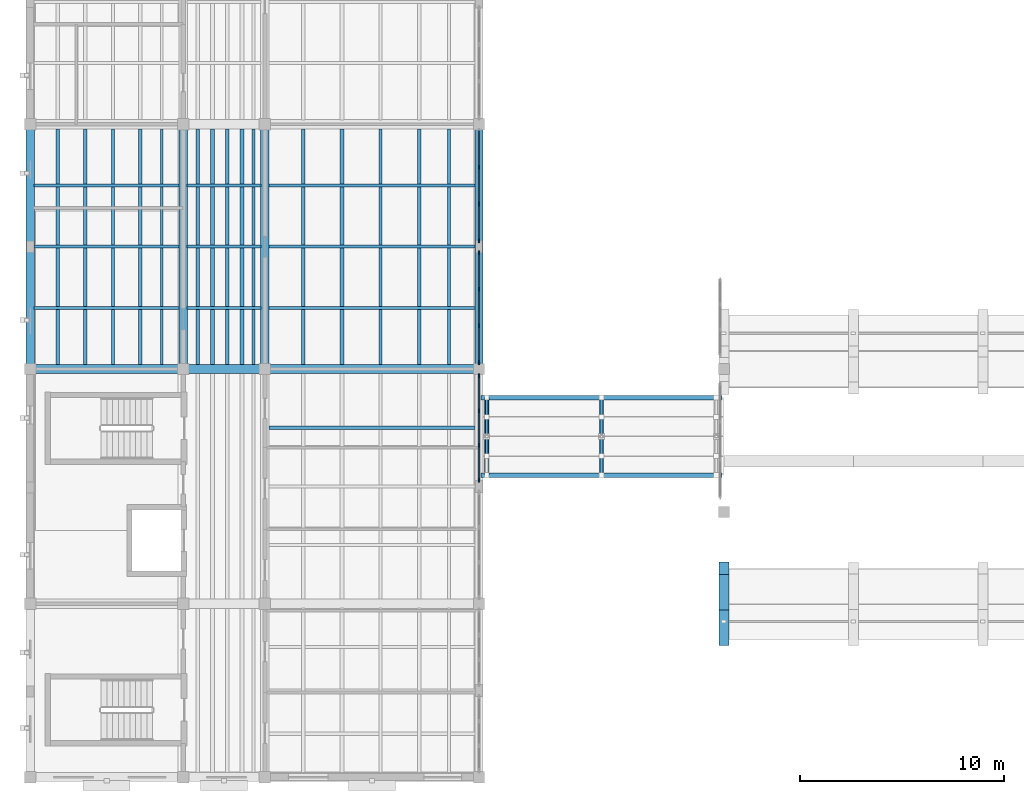
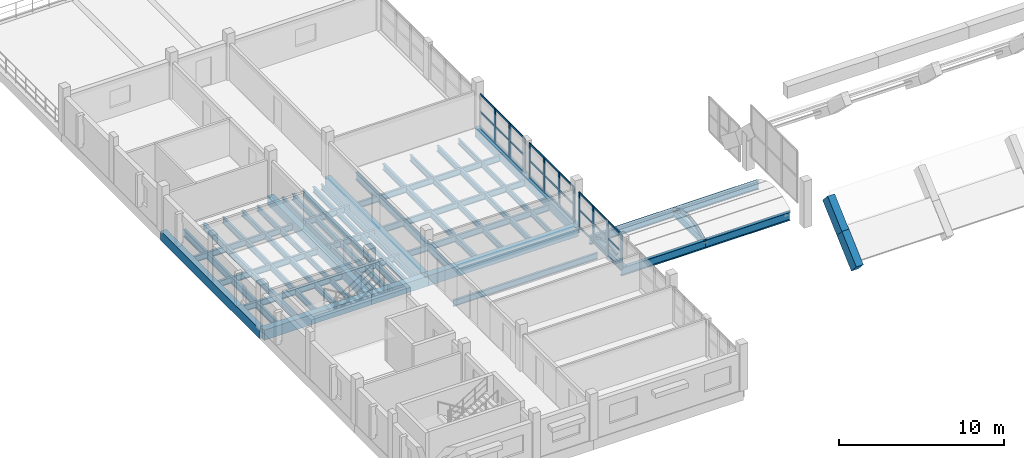
# One storey, part 4 of 48: 38 beams, 29 members, 3 elements without a shape of their own.
"""IFC4 building model written with IfcOpenShell, lengths in metres."""

from ifc_helpers import new_model, si_unit, direction, frame, origin, origin_2d, place, context, subcontext, project, spatial, rectangle, hollow_rectangle, i_section, extrude, material, layer, layer_set, material_profile, profile_set, type_object, element, aggregate, save


model = new_model("IFC4")

# Units and contexts
model_context = context("Model", 3, precision=1e-05, world=origin(), true_north=direction((0.0, 1.0)))
body_context = subcontext(model_context, "Body", "Model", "MODEL_VIEW")
ifc_project = project(units=[si_unit("LENGTHUNIT", "METRE"), si_unit("AREAUNIT", "SQUARE_METRE"), si_unit("VOLUMEUNIT", "CUBIC_METRE"), si_unit("PLANEANGLEUNIT", "RADIAN"), si_unit("MASSUNIT", "GRAM", prefix="KILO")], contexts=[model_context])

# Site, building, storey
site_placement = place(None, origin())
site = spatial("IfcSite", under=ifc_project, at=site_placement, CompositionType="ELEMENT")
building_placement = place(site_placement, origin())
building = spatial("IfcBuilding", under=site, at=building_placement, Name="Trellovar Central Fire Station", CompositionType="ELEMENT")
storey_placement = place(building_placement, frame((0.0, 0.0, 9.300048828125)))
storey = spatial("IfcBuildingStorey", under=building, at=storey_placement, Name="L03", CompositionType="ELEMENT", Elevation=9.300048828125)

# Beams
ifc_material_1 = material(Name="Concrete C40/50", Category="concrete")
ifc_material_profile_1 = material_profile(ifc_material_1, rectangle(XDim=0.449951171875, YDim=0.75, at=origin_2d()), Name="RC450X750")
ifc_profile_set_1 = profile_set([ifc_material_profile_1], Name="Concrete C40/50")
beam_type_1 = type_object("IfcBeamType", Name="BM-G2", PredefinedType="BEAM", material=ifc_profile_set_1)
beam_1_placement = place(storey_placement, frame((1.0, 29.0, -0.375), z_axis=(1.0, 0.0, 0.0), x_axis=(0.0, 1.0, 0.0)))
element("IfcBeam", 1, at=beam_1_placement, inside=storey, type_object=beam_type_1, Name="L03 beam G-2", PredefinedType="BEAM", context=body_context, shape_type="SweptSolid", body=[
    extrude(rectangle(XDim=0.449951171875, YDim=0.75, at=origin_2d()), origin(), (0.0, 0.0, 1.0), 7.5),
])
beam_2_placement = place(storey_placement, frame((8.5, 29.0, -0.375), z_axis=(1.0, 0.0, 0.0), x_axis=(0.0, 1.0, 0.0)))
element("IfcBeam", 2, at=beam_2_placement, inside=storey, type_object=beam_type_1, Name="L03 beam G-2", PredefinedType="BEAM", context=body_context, shape_type="SweptSolid", body=[
    extrude(rectangle(XDim=0.449951171875, YDim=0.75, at=origin_2d()), origin(), (0.0, 0.0, 1.0), 4.0),
])
beam_3_placement = place(storey_placement, frame((12.5, 29.0, -0.375), z_axis=(1.0, 0.0, 0.0), x_axis=(0.0, 1.0, 0.0)))
element("IfcBeam", 3, at=beam_3_placement, inside=storey, type_object=beam_type_1, Name="L03 beam G-2", PredefinedType="BEAM", context=body_context, shape_type="SweptSolid", body=[
    extrude(rectangle(XDim=0.449951171875, YDim=0.75, at=origin_2d()), origin(), (0.0, 0.0, 1.0), 10.5),
])
ifc_material_2 = material(Name="Concrete C40/50", Category="concrete")
ifc_material_profile_2 = material_profile(ifc_material_2, rectangle(XDim=0.39990234375, YDim=0.699951171875, at=origin_2d()), Name="RC400X700")
ifc_profile_set_2 = profile_set([ifc_material_profile_2], Name="Concrete C40/50")
beam_type_2 = type_object("IfcBeamType", Name="BM-G3", PredefinedType="BEAM", material=ifc_profile_set_2)
for number, where, z_axis, x_axis, name in (
    (4, (1.0, 29.0, -0.35009765625), (0.0, 1.0, 0.0), (-1.0, 0.0, 0.0), "L03 beam G-3"),
    (5, (8.5, 29.0, -0.35009765625), (0.0, 1.0, 0.0), (-1.0, 0.0, 0.0), "L03 beam G-3"),
    (6, (12.5, 29.0, -0.35009765625), (0.0, 1.0, 0.0), (-1.0, 0.0, 0.0), "L03 beam G-3"),
    (7, (23.0, 29.0, -0.35009765625), (0.0, 1.0, 0.0), (-1.0, 0.0, 0.0), "L03 beam G-3"),
):
    element("IfcBeam", number, at=place(storey_placement, frame(where, z_axis=z_axis, x_axis=x_axis)), inside=storey, type_object=beam_type_2, Name=name, PredefinedType="BEAM", context=body_context, shape_type="SweptSolid", body=[
        extrude(rectangle(XDim=0.39990234375, YDim=0.699951171875, at=origin_2d()), origin(), (0.0, 0.0, 1.0), 12.0),
    ])
ifc_material_3 = material(Name="Steel ASTM A992 Grade 50", Category="steel")
ifc_material_profile_3 = material_profile(ifc_material_3, i_section(OverallWidth=0.15283203125, OverallDepth=0.45458984375, WebThickness=0.008056640625, FlangeThickness=0.01318359375, FilletRadius=0.0126953125, at=origin_2d()), Name="W18X40")
ifc_profile_set_3 = profile_set([ifc_material_profile_3], Name="Steel ASTM A992 Grade 50")
beam_type_3 = type_object("IfcBeamType", Name="BM-SW10", PredefinedType="JOIST", material=ifc_profile_set_3)
for number, where, z_axis, x_axis, name in (
    (8, (1.195068359375, 32.0, -0.477294921875), (1.0, 0.0, 0.0), (0.0, 1.0, 0.0), "L03 beam SB-10"),
    (9, (1.195068359375, 35.0, -0.477294921875), (1.0, 0.0, 0.0), (0.0, 1.0, 0.0), "L03 beam SB-10"),
    (10, (1.195068359375, 38.0, -0.477294921875), (1.0, 0.0, 0.0), (0.0, 1.0, 0.0), "L03 beam SB-10"),
):
    element("IfcBeam", number, at=place(storey_placement, frame(where, z_axis=z_axis, x_axis=x_axis)), inside=storey, type_object=beam_type_3, Name=name, PredefinedType="JOIST", context=body_context, shape_type="SweptSolid", body=[
        extrude(i_section(OverallWidth=0.15283203125, OverallDepth=0.45458984375, WebThickness=0.008056640625, FlangeThickness=0.01318359375, FilletRadius=0.0126953125, at=origin_2d()), origin(), (0.0, 0.0, 1.0), 7.10986328125),
    ])
for number, where, z_axis, x_axis, name in (
    (11, (8.695068359375, 32.0, -0.477294921875), (1.0, 0.0, 0.0), (0.0, 1.0, 0.0), "L03 beam SB-10"),
    (12, (8.695068359375, 35.0, -0.477294921875), (1.0, 0.0, 0.0), (0.0, 1.0, 0.0), "L03 beam SB-10"),
    (13, (8.695068359375, 38.0, -0.477294921875), (1.0, 0.0, 0.0), (0.0, 1.0, 0.0), "L03 beam SB-10"),
):
    element("IfcBeam", number, at=place(storey_placement, frame(where, z_axis=z_axis, x_axis=x_axis)), inside=storey, type_object=beam_type_3, Name=name, PredefinedType="JOIST", context=body_context, shape_type="SweptSolid", body=[
        extrude(i_section(OverallWidth=0.15283203125, OverallDepth=0.45458984375, WebThickness=0.008056640625, FlangeThickness=0.01318359375, FilletRadius=0.0126953125, at=origin_2d()), origin(), (0.0, 0.0, 1.0), 3.60986328125),
    ])
for number, where, z_axis, x_axis, name in (
    (14, (12.695068359375, 26.125, -0.477294921875), (1.0, 0.0, 0.0), (0.0, 1.0, 0.0), "L03 beam SB-10"),
    (15, (12.695068359375, 32.0, -0.477294921875), (1.0, 0.0, 0.0), (0.0, 1.0, 0.0), "L03 beam SB-10"),
    (16, (12.695068359375, 35.0, -0.477294921875), (1.0, 0.0, 0.0), (0.0, 1.0, 0.0), "L03 beam SB-10"),
    (17, (12.695068359375, 38.0, -0.477294921875), (1.0, 0.0, 0.0), (0.0, 1.0, 0.0), "L03 beam SB-10"),
):
    element("IfcBeam", number, at=place(storey_placement, frame(where, z_axis=z_axis, x_axis=x_axis)), inside=storey, type_object=beam_type_3, Name=name, PredefinedType="JOIST", context=body_context, shape_type="SweptSolid", body=[
        extrude(i_section(OverallWidth=0.15283203125, OverallDepth=0.45458984375, WebThickness=0.008056640625, FlangeThickness=0.01318359375, FilletRadius=0.0126953125, at=origin_2d()), origin(), (0.0, 0.0, 1.0), 10.10986328125),
    ])
for number, where, z_axis, x_axis, name in (
    (18, (5.050048828125, 29.219970703125, -0.477294921875), (0.0, 1.0, 0.0), (-1.0, 0.0, 0.0), "L03 secondary steel deck joist"),
    (19, (10.659912109375, 29.219970703125, -0.477294921875), (0.0, 1.0, 0.0), (-1.0, 0.0, 0.0), "L03 secondary steel deck joist"),
    (20, (18.169921875, 29.219970703125, -0.477294921875), (0.0, 1.0, 0.0), (-1.0, 0.0, 0.0), "L03 secondary steel deck joist"),
):
    element("IfcBeam", number, at=place(storey_placement, frame(where, z_axis=z_axis, x_axis=x_axis)), inside=storey, type_object=beam_type_3, Name=name, PredefinedType="JOIST", context=body_context, shape_type="SweptSolid", body=[
        extrude(i_section(OverallWidth=0.15283203125, OverallDepth=0.45458984375, WebThickness=0.008056640625, FlangeThickness=0.01318359375, FilletRadius=0.0126953125, at=origin_2d()), origin(), (0.0, 0.0, 1.0), 11.56005859375),
    ])
ifc_material_4 = material(Name="Steel ASTM A992 Grade 50", Category="steel")
ifc_material_profile_4 = material_profile(ifc_material_4, i_section(OverallWidth=0.177490234375, OverallDepth=0.40380859375, WebThickness=0.007568359375, FlangeThickness=0.010986328125, FilletRadius=0.011474609375, at=origin_2d()), Name="W16X36")
ifc_profile_set_4 = profile_set([ifc_material_profile_4], Name="Steel ASTM A992 Grade 50")
beam_type_4 = type_object("IfcBeamType", Name="BM-SW11", PredefinedType="JOIST", material=ifc_profile_set_4)
for number, where, z_axis, x_axis, name in (
    (21, (6.39990234375, 29.219970703125, -0.451904296875), (0.0, 1.0, 0.0), (-1.0, 0.0, 0.0), "L03 secondary steel deck joist"),
    (22, (11.3798828125, 29.219970703125, -0.451904296875), (0.0, 1.0, 0.0), (-1.0, 0.0, 0.0), "L03 secondary steel deck joist"),
    (23, (20.06005859375, 29.219970703125, -0.451904296875), (0.0, 1.0, 0.0), (-1.0, 0.0, 0.0), "L03 secondary steel deck joist"),
):
    element("IfcBeam", number, at=place(storey_placement, frame(where, z_axis=z_axis, x_axis=x_axis)), inside=storey, type_object=beam_type_4, Name=name, PredefinedType="JOIST", context=body_context, shape_type="SweptSolid", body=[
        extrude(i_section(OverallWidth=0.177490234375, OverallDepth=0.40380859375, WebThickness=0.007568359375, FlangeThickness=0.010986328125, FilletRadius=0.011474609375, at=origin_2d()), origin(), (0.0, 0.0, 1.0), 11.56005859375),
    ])
ifc_material_5 = material(Name="Steel ASTM A992 Grade 50", Category="steel")
ifc_material_profile_5 = material_profile(ifc_material_5, i_section(OverallWidth=0.140380859375, OverallDepth=0.4033203125, WebThickness=0.007080078125, FlangeThickness=0.01123046875, FilletRadius=0.011474609375, at=origin_2d()), Name="W16X31")
ifc_profile_set_5 = profile_set([ifc_material_profile_5], Name="Steel ASTM A992 Grade 50")
beam_type_5 = type_object("IfcBeamType", Name="BM-SW12", PredefinedType="JOIST", material=ifc_profile_set_5)
for number, where, z_axis, x_axis, name in (
    (24, (7.449951171875, 29.219970703125, -0.45166015625), (0.0, 1.0, 0.0), (-1.0, 0.0, 0.0), "L03 secondary steel deck joist"),
    (25, (11.93994140625, 29.219970703125, -0.45166015625), (0.0, 1.0, 0.0), (-1.0, 0.0, 0.0), "L03 secondary steel deck joist"),
    (26, (21.530029296875, 29.219970703125, -0.45166015625), (0.0, 1.0, 0.0), (-1.0, 0.0, 0.0), "L03 secondary steel deck joist"),
):
    element("IfcBeam", number, at=place(storey_placement, frame(where, z_axis=z_axis, x_axis=x_axis)), inside=storey, type_object=beam_type_5, Name=name, PredefinedType="JOIST", context=body_context, shape_type="SweptSolid", body=[
        extrude(i_section(OverallWidth=0.140380859375, OverallDepth=0.4033203125, WebThickness=0.007080078125, FlangeThickness=0.01123046875, FilletRadius=0.011474609375, at=origin_2d()), origin(), (0.0, 0.0, 1.0), 11.56005859375),
    ])
ifc_material_6 = material(Name="Steel ASTM A992 Grade 50", Category="steel")
ifc_material_profile_6 = material_profile(ifc_material_6, i_section(OverallWidth=0.227783203125, OverallDepth=0.60205078125, WebThickness=0.010498046875, FlangeThickness=0.014892578125, FilletRadius=0.01513671875, at=origin_2d()), Name="W24X68")
ifc_profile_set_6 = profile_set([ifc_material_profile_6], Name="Steel ASTM A992 Grade 50")
beam_type_6 = type_object("IfcBeamType", Name="BM-SW6", PredefinedType="BEAM", material=ifc_profile_set_6)
for number, where, z_axis, x_axis, name in (
    (27, (23.090087890625, 23.800048828125, -0.35107421875), (1.0, 0.0, 0.0), (0.0, 1.0, 0.0), "Cloister bridge vault spring beam W"),
    (28, (29.0, 23.800048828125, -0.35107421875), (1.0, 0.0, 0.0), (0.0, 1.0, 0.0), "Cloister bridge vault spring beam E"),
    (29, (23.090087890625, 27.60009765625, -0.35107421875), (1.0, 0.0, 0.0), (0.0, 1.0, 0.0), "Cloister bridge vault spring beam W"),
    (30, (29.0, 27.60009765625, -0.35107421875), (1.0, 0.0, 0.0), (0.0, 1.0, 0.0), "Cloister bridge vault spring beam E"),
):
    element("IfcBeam", number, at=place(storey_placement, frame(where, z_axis=z_axis, x_axis=x_axis)), inside=storey, type_object=beam_type_6, Name=name, PredefinedType="BEAM", context=body_context, shape_type="SweptSolid", body=[
        extrude(i_section(OverallWidth=0.227783203125, OverallDepth=0.60205078125, WebThickness=0.010498046875, FlangeThickness=0.014892578125, FilletRadius=0.01513671875, at=origin_2d()), origin(), (0.0, 0.0, 1.0), 5.909912109375),
    ])
ifc_material_7 = material(Name="Steel ASTM A992 Grade 50", Category="steel")
ifc_material_profile_7 = material_profile(ifc_material_7, i_section(OverallWidth=0.209228515625, OverallDepth=0.533447265625, WebThickness=0.01025390625, FlangeThickness=0.015625, FilletRadius=0.013916015625, at=origin_2d()), Name="W21X62")
ifc_profile_set_7 = profile_set([ifc_material_profile_7], Name="Steel ASTM A992 Grade 50")
beam_type_7 = type_object("IfcBeamType", Name="BM-SW7", PredefinedType="BEAM", material=ifc_profile_set_7)
for number, where, z_axis, x_axis, name in (
    (31, (23.3798828125, 23.800048828125, -0.316650390625), (0.0, 1.0, 0.0), (-1.0, 0.0, 0.0), "Cloister bridge roof tie X=23.4"),
    (32, (29.0, 23.800048828125, -0.316650390625), (0.0, 1.0, 0.0), (-1.0, 0.0, 0.0), "Cloister bridge roof tie X=29.0"),
):
    element("IfcBeam", number, at=place(storey_placement, frame(where, z_axis=z_axis, x_axis=x_axis)), inside=storey, type_object=beam_type_7, Name=name, PredefinedType="BEAM", context=body_context, shape_type="SweptSolid", body=[
        extrude(i_section(OverallWidth=0.209228515625, OverallDepth=0.533447265625, WebThickness=0.01025390625, FlangeThickness=0.015625, FilletRadius=0.013916015625, at=origin_2d()), origin(), (0.0, 0.0, 1.0), 3.800048828125),
    ])
ifc_material_8 = material(Name="Steel ASTM A992 Grade 50", Category="steel")
ifc_material_profile_8 = material_profile(ifc_material_8, i_section(OverallWidth=0.166015625, OverallDepth=0.529052734375, WebThickness=0.009765625, FlangeThickness=0.013671875, FilletRadius=0.013916015625, at=origin_2d()), Name="W21X50")
ifc_profile_set_8 = profile_set([ifc_material_profile_8], Name="Steel ASTM A992 Grade 50")
beam_type_8 = type_object("IfcBeamType", Name="BM-SW8", PredefinedType="JOIST", material=ifc_profile_set_8)
for number, where, z_axis, x_axis, name in (
    (33, (2.35009765625, 29.219970703125, -0.5146484375), (0.0, 1.0, 0.0), (-1.0, 0.0, 0.0), "L03 secondary steel deck joist"),
    (34, (9.219970703125, 29.219970703125, -0.5146484375), (0.0, 1.0, 0.0), (-1.0, 0.0, 0.0), "L03 secondary steel deck joist"),
    (35, (14.389892578125, 29.219970703125, -0.5146484375), (0.0, 1.0, 0.0), (-1.0, 0.0, 0.0), "L03 secondary steel deck joist"),
):
    element("IfcBeam", number, at=place(storey_placement, frame(where, z_axis=z_axis, x_axis=x_axis)), inside=storey, type_object=beam_type_8, Name=name, PredefinedType="JOIST", context=body_context, shape_type="SweptSolid", body=[
        extrude(i_section(OverallWidth=0.166015625, OverallDepth=0.529052734375, WebThickness=0.009765625, FlangeThickness=0.013671875, FilletRadius=0.013916015625, at=origin_2d()), origin(), (0.0, 0.0, 1.0), 11.56005859375),
    ])
ifc_material_9 = material(Name="Steel ASTM A992 Grade 50", Category="steel")
ifc_material_profile_9 = material_profile(ifc_material_9, i_section(OverallWidth=0.1904296875, OverallDepth=0.457275390625, WebThickness=0.009033203125, FlangeThickness=0.014404296875, FilletRadius=0.0126953125, at=origin_2d()), Name="W18X50")
ifc_profile_set_9 = profile_set([ifc_material_profile_9], Name="Steel ASTM A992 Grade 50")
beam_type_9 = type_object("IfcBeamType", Name="BM-SW9", PredefinedType="JOIST", material=ifc_profile_set_9)
for number, where, z_axis, x_axis, name in (
    (36, (3.699951171875, 29.219970703125, -0.478759765625), (0.0, 1.0, 0.0), (-1.0, 0.0, 0.0), "L03 secondary steel deck joist"),
    (37, (9.93994140625, 29.219970703125, -0.478759765625), (0.0, 1.0, 0.0), (-1.0, 0.0, 0.0), "L03 secondary steel deck joist"),
    (38, (16.280029296875, 29.219970703125, -0.478759765625), (0.0, 1.0, 0.0), (-1.0, 0.0, 0.0), "L03 secondary steel deck joist"),
):
    element("IfcBeam", number, at=place(storey_placement, frame(where, z_axis=z_axis, x_axis=x_axis)), inside=storey, type_object=beam_type_9, Name=name, PredefinedType="JOIST", context=body_context, shape_type="SweptSolid", body=[
        extrude(i_section(OverallWidth=0.1904296875, OverallDepth=0.457275390625, WebThickness=0.009033203125, FlangeThickness=0.014404296875, FilletRadius=0.0126953125, at=origin_2d()), origin(), (0.0, 0.0, 1.0), 11.56005859375),
    ])

# Curtain wall, members
ifc_material_10 = material(Name="Thermally broken bronze anodized aluminum", Category="aluminium")
ifc_layer = layer(ifc_material_10, 0.159912109375)
ifc_layer_set = layer_set([ifc_layer], Name="Thermally broken bronze anodized aluminum")
curtain_wall_type = type_object("IfcCurtainWallType", Name="CW-02", PredefinedType="NOTDEFINED", material=ifc_layer_set)
curtain_wall_1_placement = place(storey_placement, origin())
curtain_wall_1 = element("IfcCurtainWall", 39, at=curtain_wall_1_placement, inside=storey, type_object=curtain_wall_type, Name="L03 curtain wall CW-2", PredefinedType="NOTDEFINED")
ifc_material_11 = material(Name="Thermally broken bronze anodized aluminum", Category="aluminium")
ifc_material_profile_10 = material_profile(ifc_material_11, rectangle(XDim=0.074951171875, YDim=0.199951171875, at=origin_2d()), Name="ALU75X200")
ifc_profile_set_10 = profile_set([ifc_material_profile_10], Name="Thermally broken bronze anodized aluminum")
member_type_1 = type_object("IfcMemberType", Name="CWM-1", PredefinedType="MULLION", material=ifc_profile_set_10)
member_1_placement = place(storey_placement, frame((23.0, 23.550048828125, 0.0), z_axis=(0.0, 0.0, 1.0), x_axis=(1.0, 0.0, 0.0)))
member_1 = element("IfcMember", 40, at=member_1_placement, type_object=member_type_1, Name="CW3-L03-0048 mullion 1", PredefinedType="MULLION", context=body_context, shape_type="SweptSolid", body=[
    extrude(rectangle(XDim=0.074951171875, YDim=0.199951171875, at=origin_2d()), origin(), (0.0, 0.0, 1.0), 2.550048828125),
])
member_2_placement = place(storey_placement, frame((23.0, 25.25830078125, 0.0), z_axis=(0.0, 0.0, 1.0), x_axis=(1.0, 0.0, 0.0)))
member_2 = element("IfcMember", 41, at=member_2_placement, type_object=member_type_1, Name="CW3-L03-0048 mullion 2", PredefinedType="MULLION", context=body_context, shape_type="SweptSolid", body=[
    extrude(rectangle(XDim=0.074951171875, YDim=0.199951171875, at=origin_2d()), origin(), (0.0, 0.0, 1.0), 2.550048828125),
])
member_3_placement = place(storey_placement, frame((23.0, 26.966796875, 0.0), z_axis=(0.0, 0.0, 1.0), x_axis=(1.0, 0.0, 0.0)))
member_3 = element("IfcMember", 42, at=member_3_placement, type_object=member_type_1, Name="CW3-L03-0048 mullion 3", PredefinedType="MULLION", context=body_context, shape_type="SweptSolid", body=[
    extrude(rectangle(XDim=0.074951171875, YDim=0.199951171875, at=origin_2d()), origin(), (0.0, 0.0, 1.0), 2.550048828125),
])
member_4_placement = place(storey_placement, frame((23.0, 28.675048828125, 0.0), z_axis=(0.0, 0.0, 1.0), x_axis=(1.0, 0.0, 0.0)))
member_4 = element("IfcMember", 43, at=member_4_placement, type_object=member_type_1, Name="CW3-L03-0048 mullion 4", PredefinedType="MULLION", context=body_context, shape_type="SweptSolid", body=[
    extrude(rectangle(XDim=0.074951171875, YDim=0.199951171875, at=origin_2d()), origin(), (0.0, 0.0, 1.0), 2.550048828125),
])

curtain_wall_2_placement = place(storey_placement, origin())
curtain_wall_2 = element("IfcCurtainWall", 44, at=curtain_wall_2_placement, inside=storey, type_object=curtain_wall_type, Name="L03 curtain wall CW-2", PredefinedType="NOTDEFINED")
member_5_placement = place(storey_placement, frame((23.0, 29.324951171875, 0.0), z_axis=(0.0, 0.0, 1.0), x_axis=(1.0, 0.0, 0.0)))
member_5 = element("IfcMember", 45, at=member_5_placement, type_object=member_type_1, Name="CW3-L03-0049 mullion 1", PredefinedType="MULLION", context=body_context, shape_type="SweptSolid", body=[
    extrude(rectangle(XDim=0.074951171875, YDim=0.199951171875, at=origin_2d()), origin(), (0.0, 0.0, 1.0), 2.550048828125),
])
member_6_placement = place(storey_placement, frame((23.0, 31.11669921875, 0.0), z_axis=(0.0, 0.0, 1.0), x_axis=(1.0, 0.0, 0.0)))
member_6 = element("IfcMember", 46, at=member_6_placement, type_object=member_type_1, Name="CW3-L03-0049 mullion 2", PredefinedType="MULLION", context=body_context, shape_type="SweptSolid", body=[
    extrude(rectangle(XDim=0.074951171875, YDim=0.199951171875, at=origin_2d()), origin(), (0.0, 0.0, 1.0), 2.550048828125),
])
member_7_placement = place(storey_placement, frame((23.0, 32.908203125, 0.0), z_axis=(0.0, 0.0, 1.0), x_axis=(1.0, 0.0, 0.0)))
member_7 = element("IfcMember", 47, at=member_7_placement, type_object=member_type_1, Name="CW3-L03-0049 mullion 3", PredefinedType="MULLION", context=body_context, shape_type="SweptSolid", body=[
    extrude(rectangle(XDim=0.074951171875, YDim=0.199951171875, at=origin_2d()), origin(), (0.0, 0.0, 1.0), 2.550048828125),
])
member_8_placement = place(storey_placement, frame((23.0, 34.699951171875, 0.0), z_axis=(0.0, 0.0, 1.0), x_axis=(1.0, 0.0, 0.0)))
member_8 = element("IfcMember", 48, at=member_8_placement, type_object=member_type_1, Name="CW3-L03-0049 mullion 4", PredefinedType="MULLION", context=body_context, shape_type="SweptSolid", body=[
    extrude(rectangle(XDim=0.074951171875, YDim=0.199951171875, at=origin_2d()), origin(), (0.0, 0.0, 1.0), 2.550048828125),
])

curtain_wall_3_placement = place(storey_placement, origin())
curtain_wall_3 = element("IfcCurtainWall", 49, at=curtain_wall_3_placement, inside=storey, type_object=curtain_wall_type, Name="L03 curtain wall CW-2", PredefinedType="NOTDEFINED")
member_9_placement = place(storey_placement, frame((23.0, 35.300048828125, 0.0), z_axis=(0.0, 0.0, 1.0), x_axis=(1.0, 0.0, 0.0)))
member_9 = element("IfcMember", 50, at=member_9_placement, type_object=member_type_1, Name="CW3-L03-0050 mullion 1", PredefinedType="MULLION", context=body_context, shape_type="SweptSolid", body=[
    extrude(rectangle(XDim=0.074951171875, YDim=0.199951171875, at=origin_2d()), origin(), (0.0, 0.0, 1.0), 2.550048828125),
])
member_10_placement = place(storey_placement, frame((23.0, 37.091796875, 0.0), z_axis=(0.0, 0.0, 1.0), x_axis=(1.0, 0.0, 0.0)))
member_10 = element("IfcMember", 51, at=member_10_placement, type_object=member_type_1, Name="CW3-L03-0050 mullion 2", PredefinedType="MULLION", context=body_context, shape_type="SweptSolid", body=[
    extrude(rectangle(XDim=0.074951171875, YDim=0.199951171875, at=origin_2d()), origin(), (0.0, 0.0, 1.0), 2.550048828125),
])
member_11_placement = place(storey_placement, frame((23.0, 38.88330078125, 0.0), z_axis=(0.0, 0.0, 1.0), x_axis=(1.0, 0.0, 0.0)))
member_11 = element("IfcMember", 52, at=member_11_placement, type_object=member_type_1, Name="CW3-L03-0050 mullion 3", PredefinedType="MULLION", context=body_context, shape_type="SweptSolid", body=[
    extrude(rectangle(XDim=0.074951171875, YDim=0.199951171875, at=origin_2d()), origin(), (0.0, 0.0, 1.0), 2.550048828125),
])

# Member
ifc_material_12 = material(Name="Thermally broken bronze anodized aluminum", Category="aluminium")
ifc_material_profile_11 = material_profile(ifc_material_12, rectangle(XDim=0.06005859375, YDim=0.139892578125, at=origin_2d()), Name="ALU60X140")
ifc_profile_set_11 = profile_set([ifc_material_profile_11], Name="Thermally broken bronze anodized aluminum")
member_type_2 = type_object("IfcMemberType", Name="CWT-1", PredefinedType="USERDEFINED", material=ifc_profile_set_11)
member_12_placement = place(storey_placement, frame((23.0, 23.550048828125, 0.0), z_axis=(0.0, 1.0, 0.0), x_axis=(-1.0, 0.0, 0.0)))
member_12 = element("IfcMember", 53, at=member_12_placement, type_object=member_type_2, Name="CW3-L03-0048 transom 1", ObjectType="TRANSOM", PredefinedType="USERDEFINED", context=body_context, shape_type="SweptSolid", body=[
    extrude(rectangle(XDim=0.06005859375, YDim=0.139892578125, at=origin_2d()), origin(), (0.0, 0.0, 1.0), 5.125),
])

member_13_placement = place(storey_placement, frame((23.0, 23.550048828125, 1.27490234375), z_axis=(0.0, 1.0, 0.0), x_axis=(-1.0, 0.0, 0.0)))
member_13 = element("IfcMember", 54, at=member_13_placement, type_object=member_type_2, Name="CW3-L03-0048 transom 2", ObjectType="TRANSOM", PredefinedType="USERDEFINED", context=body_context, shape_type="SweptSolid", body=[
    extrude(rectangle(XDim=0.06005859375, YDim=0.139892578125, at=origin_2d()), origin(), (0.0, 0.0, 1.0), 5.125),
])

member_14_placement = place(storey_placement, frame((23.0, 23.550048828125, 2.550048828125), z_axis=(0.0, 1.0, 0.0), x_axis=(-1.0, 0.0, 0.0)))
member_14 = element("IfcMember", 55, at=member_14_placement, type_object=member_type_2, Name="CW3-L03-0048 transom 3", ObjectType="TRANSOM", PredefinedType="USERDEFINED", context=body_context, shape_type="SweptSolid", body=[
    extrude(rectangle(XDim=0.06005859375, YDim=0.139892578125, at=origin_2d()), origin(), (0.0, 0.0, 1.0), 5.125),
])

aggregate(curtain_wall_1, [member_1, member_2, member_3, member_4, member_12, member_13, member_14])

member_15_placement = place(storey_placement, frame((23.0, 29.324951171875, 0.0), z_axis=(0.0, 1.0, 0.0), x_axis=(-1.0, 0.0, 0.0)))
member_15 = element("IfcMember", 56, at=member_15_placement, type_object=member_type_2, Name="CW3-L03-0049 transom 1", ObjectType="TRANSOM", PredefinedType="USERDEFINED", context=body_context, shape_type="SweptSolid", body=[
    extrude(rectangle(XDim=0.06005859375, YDim=0.139892578125, at=origin_2d()), origin(), (0.0, 0.0, 1.0), 5.375),
])

member_16_placement = place(storey_placement, frame((23.0, 29.324951171875, 1.27490234375), z_axis=(0.0, 1.0, 0.0), x_axis=(-1.0, 0.0, 0.0)))
member_16 = element("IfcMember", 57, at=member_16_placement, type_object=member_type_2, Name="CW3-L03-0049 transom 2", ObjectType="TRANSOM", PredefinedType="USERDEFINED", context=body_context, shape_type="SweptSolid", body=[
    extrude(rectangle(XDim=0.06005859375, YDim=0.139892578125, at=origin_2d()), origin(), (0.0, 0.0, 1.0), 5.375),
])

member_17_placement = place(storey_placement, frame((23.0, 29.324951171875, 2.550048828125), z_axis=(0.0, 1.0, 0.0), x_axis=(-1.0, 0.0, 0.0)))
member_17 = element("IfcMember", 58, at=member_17_placement, type_object=member_type_2, Name="CW3-L03-0049 transom 3", ObjectType="TRANSOM", PredefinedType="USERDEFINED", context=body_context, shape_type="SweptSolid", body=[
    extrude(rectangle(XDim=0.06005859375, YDim=0.139892578125, at=origin_2d()), origin(), (0.0, 0.0, 1.0), 5.375),
])

aggregate(curtain_wall_2, [member_5, member_6, member_7, member_8, member_15, member_16, member_17])

member_18_placement = place(storey_placement, frame((23.0, 35.300048828125, 0.0), z_axis=(0.0, 1.0, 0.0), x_axis=(-1.0, 0.0, 0.0)))
member_18 = element("IfcMember", 59, at=member_18_placement, type_object=member_type_2, Name="CW3-L03-0050 transom 1", ObjectType="TRANSOM", PredefinedType="USERDEFINED", context=body_context, shape_type="SweptSolid", body=[
    extrude(rectangle(XDim=0.06005859375, YDim=0.139892578125, at=origin_2d()), origin(), (0.0, 0.0, 1.0), 5.375),
])

member_19_placement = place(storey_placement, frame((23.0, 35.300048828125, 1.27490234375), z_axis=(0.0, 1.0, 0.0), x_axis=(-1.0, 0.0, 0.0)))
member_19 = element("IfcMember", 60, at=member_19_placement, type_object=member_type_2, Name="CW3-L03-0050 transom 2", ObjectType="TRANSOM", PredefinedType="USERDEFINED", context=body_context, shape_type="SweptSolid", body=[
    extrude(rectangle(XDim=0.06005859375, YDim=0.139892578125, at=origin_2d()), origin(), (0.0, 0.0, 1.0), 5.375),
])

member_20_placement = place(storey_placement, frame((23.0, 35.300048828125, 2.550048828125), z_axis=(0.0, 1.0, 0.0), x_axis=(-1.0, 0.0, 0.0)))
member_20 = element("IfcMember", 61, at=member_20_placement, type_object=member_type_2, Name="CW3-L03-0050 transom 3", ObjectType="TRANSOM", PredefinedType="USERDEFINED", context=body_context, shape_type="SweptSolid", body=[
    extrude(rectangle(XDim=0.06005859375, YDim=0.139892578125, at=origin_2d()), origin(), (0.0, 0.0, 1.0), 5.375),
])

aggregate(curtain_wall_3, [member_9, member_10, member_11, member_18, member_19, member_20])

# Members
ifc_material_13 = material(Name="Concrete C40/50", Category="concrete")
ifc_material_profile_12 = material_profile(ifc_material_13, rectangle(XDim=0.5, YDim=0.89990234375, at=origin_2d()), Name="RC500X900")
ifc_profile_set_12 = profile_set([ifc_material_profile_12], Name="Concrete C40/50")
member_type_3 = type_object("IfcMemberType", Name="MEM-AR1", PredefinedType="CHORD", material=ifc_profile_set_12)
member_21_placement = place(storey_placement, frame((35.0, 15.74658203125, 0.61669921875), z_axis=(0.0, 0.744457083913, 0.667670315509), x_axis=(-1.0, 0.0, 0.0)))
element("IfcMember", 62, at=member_21_placement, inside=storey, type_object=member_type_3, Name="Parabolic arch rib AR-01 chord 02", PredefinedType="CHORD", context=body_context, shape_type="SweptSolid", body=[
    extrude(rectangle(XDim=0.5, YDim=0.89990234375, at=origin_2d()), origin(), (0.0, 0.0, 1.0), 2.346435546875),
])
member_22_placement = place(storey_placement, frame((35.0, 17.493408203125, 2.183349609375), z_axis=(0.0, 0.744410696022, 0.667722034718), x_axis=(-1.0, 0.0, 0.0)))
element("IfcMember", 63, at=member_22_placement, inside=storey, type_object=member_type_3, Name="Parabolic arch rib AR-01 chord 03", PredefinedType="CHORD", context=body_context, shape_type="SweptSolid", body=[
    extrude(rectangle(XDim=0.5, YDim=0.89990234375, at=origin_2d()), origin(), (0.0, 0.0, 1.0), 2.34619140625),
])
ifc_material_14 = material(Name="Steel ASTM A500 Grade C", Category="steel")
ifc_material_profile_13 = material_profile(ifc_material_14, hollow_rectangle(XDim=0.15234375, YDim=0.15234375, WallThickness=0.0087890625, InnerFilletRadius=0.0087890625, OuterFilletRadius=0.017822265625, at=origin_2d()), Name="HSS6X6X3/8")
ifc_profile_set_13 = profile_set([ifc_material_profile_13], Name="Steel ASTM A500 Grade C")
member_type_4 = type_object("IfcMemberType", Name="MEM-CH2", PredefinedType="CHORD", material=ifc_profile_set_13)
for number, where, z_axis, x_axis, name in (
    (64, (23.3798828125, 24.75, 0.219970703125), (0.0, 0.987777369502, 0.15587131968), (-1.0, 0.0, 0.0), "Cloister bridge Catalan vault arch rib"),
    (65, (23.3798828125, 25.699951171875, 0.369873046875), (0.0, 0.987777369502, -0.15587131968), (-1.0, 0.0, 0.0), "Cloister bridge Catalan vault arch rib"),
):
    element("IfcMember", number, at=place(storey_placement, frame(where, z_axis=z_axis, x_axis=x_axis)), inside=storey, type_object=member_type_4, Name=name, PredefinedType="CHORD", context=body_context, shape_type="SweptSolid", body=[
        extrude(hollow_rectangle(XDim=0.15234375, YDim=0.15234375, WallThickness=0.0087890625, InnerFilletRadius=0.0087890625, OuterFilletRadius=0.017822265625, at=origin_2d()), origin(), (0.0, 0.0, 1.0), 0.961669921875),
    ])
member_23_placement = place(storey_placement, frame((23.3798828125, 26.64990234375, 0.219970703125), z_axis=(0.0, 0.903789844702, -0.427976537458), x_axis=(-1.0, 0.0, 0.0)))
element("IfcMember", 66, at=member_23_placement, inside=storey, type_object=member_type_4, Name="Cloister bridge Catalan vault arch rib", PredefinedType="CHORD", context=body_context, shape_type="SweptSolid", body=[
    extrude(hollow_rectangle(XDim=0.15234375, YDim=0.15234375, WallThickness=0.0087890625, InnerFilletRadius=0.0087890625, OuterFilletRadius=0.017822265625, at=origin_2d()), origin(), (0.0, 0.0, 1.0), 1.05126953125),
])
member_24_placement = place(storey_placement, frame((29.0, 23.800048828125, -0.22998046875), z_axis=(0.0, 0.903747297472, 0.428066376058), x_axis=(-1.0, 0.0, 0.0)))
element("IfcMember", 67, at=member_24_placement, inside=storey, type_object=member_type_4, Name="Cloister bridge Catalan vault arch rib", PredefinedType="CHORD", context=body_context, shape_type="SweptSolid", body=[
    extrude(hollow_rectangle(XDim=0.15234375, YDim=0.15234375, WallThickness=0.0087890625, InnerFilletRadius=0.0087890625, OuterFilletRadius=0.017822265625, at=origin_2d()), origin(), (0.0, 0.0, 1.0), 1.051025390625),
])
for number, where, z_axis, x_axis, name in (
    (68, (29.0, 24.75, 0.219970703125), (0.0, 0.987777369502, 0.15587131968), (-1.0, 0.0, 0.0), "Cloister bridge Catalan vault arch rib"),
    (69, (29.0, 25.699951171875, 0.369873046875), (0.0, 0.987777369502, -0.15587131968), (-1.0, 0.0, 0.0), "Cloister bridge Catalan vault arch rib"),
):
    element("IfcMember", number, at=place(storey_placement, frame(where, z_axis=z_axis, x_axis=x_axis)), inside=storey, type_object=member_type_4, Name=name, PredefinedType="CHORD", context=body_context, shape_type="SweptSolid", body=[
        extrude(hollow_rectangle(XDim=0.15234375, YDim=0.15234375, WallThickness=0.0087890625, InnerFilletRadius=0.0087890625, OuterFilletRadius=0.017822265625, at=origin_2d()), origin(), (0.0, 0.0, 1.0), 0.961669921875),
    ])
member_25_placement = place(storey_placement, frame((29.0, 26.64990234375, 0.219970703125), z_axis=(0.0, 0.903789844702, -0.427976537458), x_axis=(-1.0, 0.0, 0.0)))
element("IfcMember", 70, at=member_25_placement, inside=storey, type_object=member_type_4, Name="Cloister bridge Catalan vault arch rib", PredefinedType="CHORD", context=body_context, shape_type="SweptSolid", body=[
    extrude(hollow_rectangle(XDim=0.15234375, YDim=0.15234375, WallThickness=0.0087890625, InnerFilletRadius=0.0087890625, OuterFilletRadius=0.017822265625, at=origin_2d()), origin(), (0.0, 0.0, 1.0), 1.05126953125),
])

save(model, "model.ifc")
